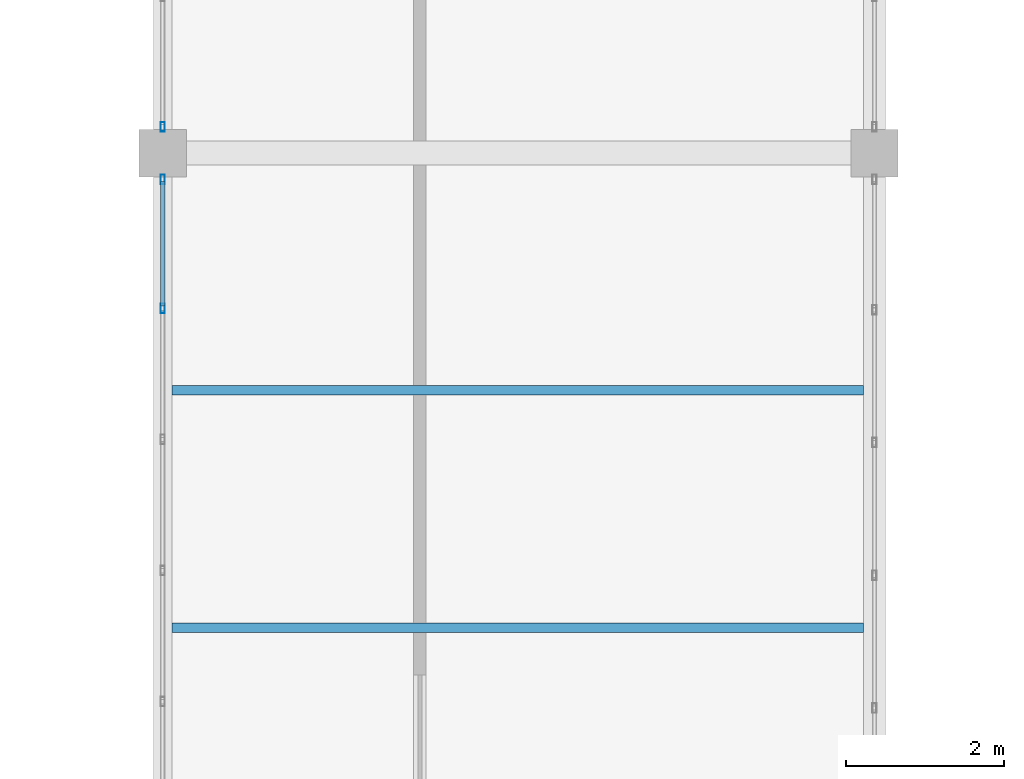
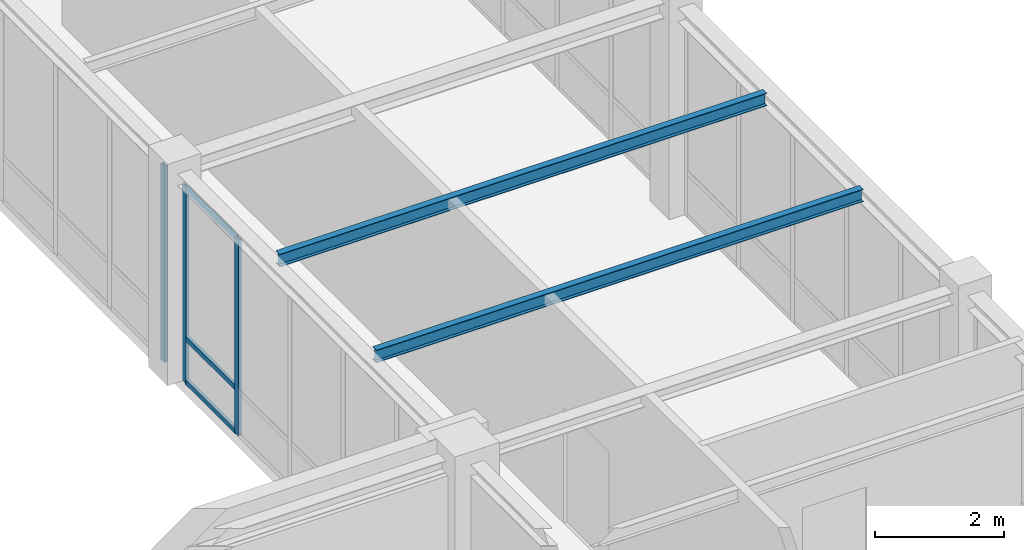
# One storey, part 28 of 97: 6 members, 2 beams, 2 elements without a shape of their own.
"""IFC4 building model written with IfcOpenShell, lengths in metres."""

from ifc_helpers import new_model, si_unit, direction, frame, origin, origin_2d, place, context, subcontext, project, spatial, hollow_rectangle, i_section, extrude, material, material_profile, profile_set, type_object, element, aggregate, save


model = new_model("IFC4")

# Units and contexts
model_context = context("Model", 3, precision=1e-05, world=origin(), true_north=direction((0.0, 1.0)))
body_context = subcontext(model_context, "Body", "Model", "MODEL_VIEW")
ifc_project = project(units=[si_unit("LENGTHUNIT", "METRE"), si_unit("AREAUNIT", "SQUARE_METRE"), si_unit("VOLUMEUNIT", "CUBIC_METRE"), si_unit("PLANEANGLEUNIT", "RADIAN"), si_unit("MASSUNIT", "GRAM", prefix="KILO")], contexts=[model_context])

# Site, building, storey
site_placement = place(None, origin())
site = spatial("IfcSite", under=ifc_project, at=site_placement, CompositionType="ELEMENT")
building_placement = place(site_placement, origin())
building = spatial("IfcBuilding", under=site, at=building_placement, Name="Lykobir Media Centre", CompositionType="ELEMENT")
storey_placement = place(building_placement, frame((0.0, 0.0, 23.39990234375)))
storey = spatial("IfcBuildingStorey", under=building, at=storey_placement, Name="L05", CompositionType="ELEMENT", Elevation=23.39990234375)

# Curtain wall, members
ifc_material_1 = material(Name="Anodized Aluminium AW-6060", Category="aluminium")
curtain_wall_type = type_object("IfcCurtainWallType", Name="CW-COURT-B", PredefinedType="NOTDEFINED", material=ifc_material_1)
curtain_wall_1_placement = place(storey_placement, origin())
curtain_wall_1 = element("IfcCurtainWall", 1, at=curtain_wall_1_placement, inside=storey, type_object=curtain_wall_type, Name="Curtain wall CW2-L05-0201", PredefinedType="NOTDEFINED")
ifc_material_profile_1 = material_profile(ifc_material_1, hollow_rectangle(XDim=0.054931640625, YDim=0.1201171875, WallThickness=0.003173828125, at=origin_2d()), Name="ALU MULLION 55x120")
ifc_profile_set_1 = profile_set([ifc_material_profile_1], Name="Anodized Aluminium AW-6060")
member_type_1 = type_object("IfcMemberType", Name="CWM-120", PredefinedType="MULLION", material=ifc_profile_set_1)
member_1_placement = place(storey_placement, frame((27.0, 52.037109375, 0.0), z_axis=(0.0, 0.0, 1.0), x_axis=(-1.0, 0.0, 0.0)))
member_1 = element("IfcMember", 2, at=member_1_placement, type_object=member_type_1, Name="CW2-L05-0201 mullion 5", PredefinedType="MULLION", context=body_context, shape_type="SweptSolid", body=[
    extrude(hollow_rectangle(XDim=0.054931640625, YDim=0.1201171875, WallThickness=0.003173828125, at=origin_2d()), origin(), (0.0, 0.0, 1.0), 3.713134765625),
])
member_2_placement = place(storey_placement, frame((27.0, 53.66748046875, 0.0), z_axis=(0.0, 0.0, 1.0), x_axis=(-1.0, 0.0, 0.0)))
member_2 = element("IfcMember", 3, at=member_2_placement, type_object=member_type_1, Name="CW2-L05-0201 mullion 6", PredefinedType="MULLION", context=body_context, shape_type="SweptSolid", body=[
    extrude(hollow_rectangle(XDim=0.054931640625, YDim=0.1201171875, WallThickness=0.003173828125, at=origin_2d()), origin(), (0.0, 0.0, 1.0), 3.713134765625),
])

# Curtain wall, member
curtain_wall_2_placement = place(storey_placement, origin())
curtain_wall_2 = element("IfcCurtainWall", 4, at=curtain_wall_2_placement, inside=storey, type_object=curtain_wall_type, Name="Curtain wall CW2-L05-0202", PredefinedType="NOTDEFINED")
member_3_placement = place(storey_placement, frame((27.0, 54.33251953125, 0.0), z_axis=(0.0, 0.0, 1.0), x_axis=(-1.0, 0.0, 0.0)))
member_3 = element("IfcMember", 5, at=member_3_placement, type_object=member_type_1, Name="CW2-L05-0202 mullion 1", PredefinedType="MULLION", context=body_context, shape_type="SweptSolid", body=[
    extrude(hollow_rectangle(XDim=0.054931640625, YDim=0.1201171875, WallThickness=0.003173828125, at=origin_2d()), origin(), (0.0, 0.0, 1.0), 3.713134765625),
])
aggregate(curtain_wall_2, [member_3])

# Member
ifc_material_profile_2 = material_profile(ifc_material_1, hollow_rectangle(XDim=0.054931640625, YDim=0.094970703125, WallThickness=0.0029296875, at=origin_2d()), Name="ALU TRANSOM 55x95")
ifc_profile_set_2 = profile_set([ifc_material_profile_2], Name="Anodized Aluminium AW-6060")
member_type_2 = type_object("IfcMemberType", Name="CWT-095", PredefinedType="USERDEFINED", material=ifc_profile_set_2)
member_4_placement = place(storey_placement, frame((27.0, 52.064453125, 0.027587890625), z_axis=(0.0, 1.0, 0.0), x_axis=(-1.0, 0.0, 0.0)))
member_4 = element("IfcMember", 6, at=member_4_placement, type_object=member_type_2, Name="CW2-L05-0201 transom 5.1", ObjectType="TRANSOM", PredefinedType="USERDEFINED", context=body_context, shape_type="SweptSolid", body=[
    extrude(hollow_rectangle(XDim=0.054931640625, YDim=0.094970703125, WallThickness=0.0029296875, at=origin_2d()), origin(), (0.0, 0.0, 1.0), 1.575439453125),
])

member_5_placement = place(storey_placement, frame((27.0, 52.064453125, 0.85009765625), z_axis=(0.0, 1.0, 0.0), x_axis=(-1.0, 0.0, 0.0)))
member_5 = element("IfcMember", 7, at=member_5_placement, type_object=member_type_2, Name="CW2-L05-0201 transom 5.2", ObjectType="TRANSOM", PredefinedType="USERDEFINED", context=body_context, shape_type="SweptSolid", body=[
    extrude(hollow_rectangle(XDim=0.054931640625, YDim=0.094970703125, WallThickness=0.0029296875, at=origin_2d()), origin(), (0.0, 0.0, 1.0), 1.575439453125),
])

member_6_placement = place(storey_placement, frame((27.0, 52.064453125, 3.685546875), z_axis=(0.0, 1.0, 0.0), x_axis=(-1.0, 0.0, 0.0)))
member_6 = element("IfcMember", 8, at=member_6_placement, type_object=member_type_2, Name="CW2-L05-0201 transom 5.3", ObjectType="TRANSOM", PredefinedType="USERDEFINED", context=body_context, shape_type="SweptSolid", body=[
    extrude(hollow_rectangle(XDim=0.054931640625, YDim=0.094970703125, WallThickness=0.0029296875, at=origin_2d()), origin(), (0.0, 0.0, 1.0), 1.575439453125),
])

aggregate(curtain_wall_1, [member_1, member_2, member_4, member_5, member_6])

# Beams
ifc_material_2 = material(Name="Steel S355", Category="steel")
ifc_material_profile_3 = material_profile(ifc_material_2, i_section(OverallWidth=0.1201171875, OverallDepth=0.239990234375, WebThickness=0.006103515625, FlangeThickness=0.009765625, at=origin_2d()), Name="IPE 240")
ifc_profile_set_3 = profile_set([ifc_material_profile_3], Name="Steel S355")
beam_type = type_object("IfcBeamType", Name="JS-IPE240", PredefinedType="JOIST", material=ifc_profile_set_3)
for number, where, z_axis, x_axis, name in (
    (9, (27.1201171875, 48.0, 3.900146484375), (1.0, 0.0, 0.0), (0.0, 1.0, 0.0), "Beam BM-L05-0271-0480-0359-0480-2730"),
    (10, (27.1201171875, 51.0, 3.900146484375), (1.0, 0.0, 0.0), (0.0, 1.0, 0.0), "Beam BM-L05-0271-0510-0359-0510-2730"),
):
    element("IfcBeam", number, at=place(storey_placement, frame(where, z_axis=z_axis, x_axis=x_axis)), inside=storey, type_object=beam_type, Name=name, PredefinedType="JOIST", context=body_context, shape_type="SweptSolid", body=[
        extrude(i_section(OverallWidth=0.1201171875, OverallDepth=0.239990234375, WebThickness=0.006103515625, FlangeThickness=0.009765625, at=origin_2d()), origin(), (0.0, 0.0, 1.0), 8.739990234375),
    ])

save(model, "model.ifc")
